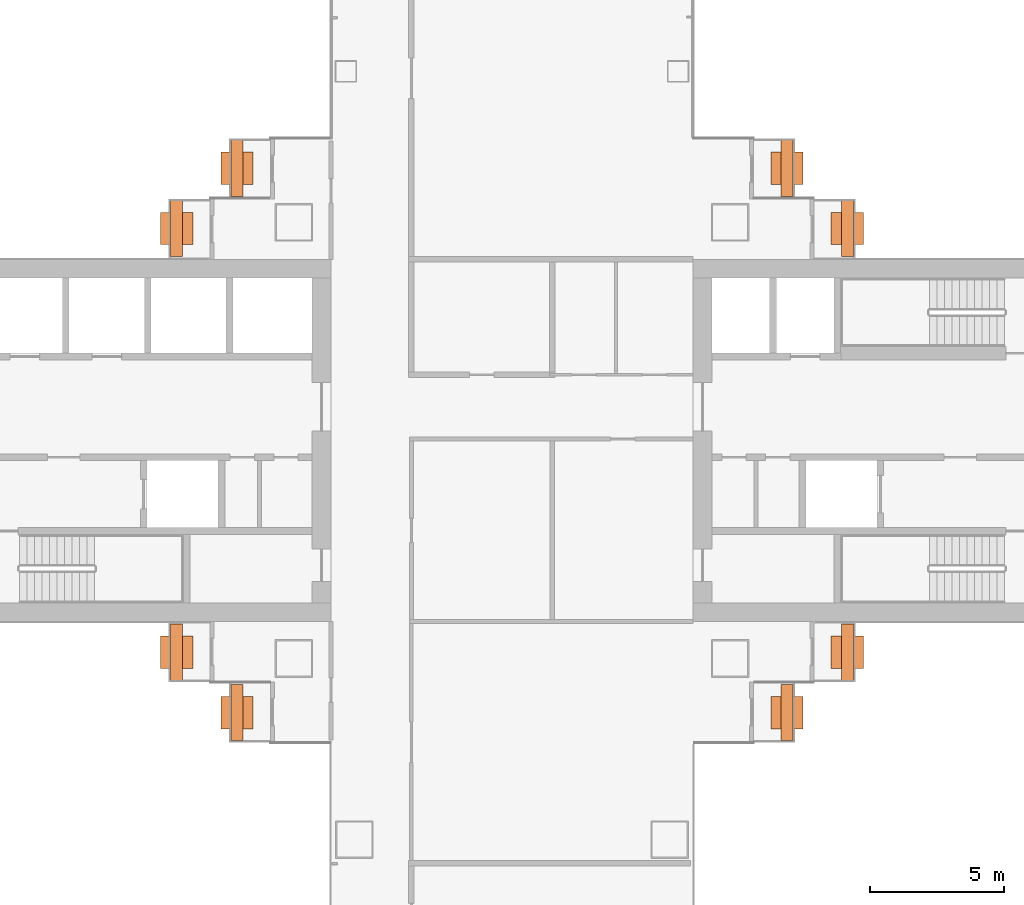
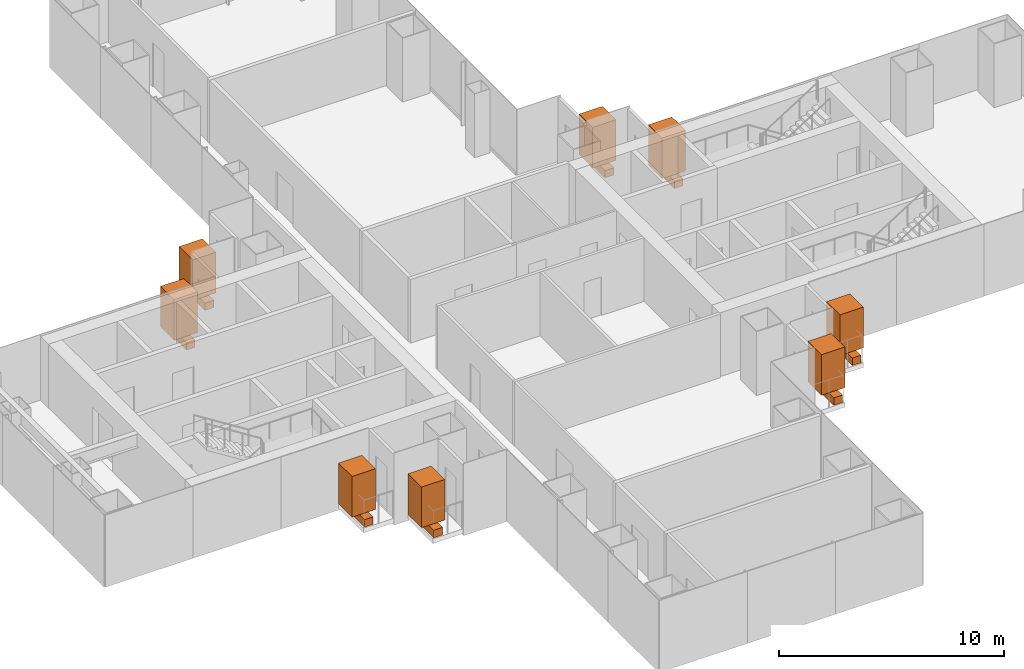
# One storey, part 22 of 22: 8 geographic elements, 8 proxies.
"""IFC4 building model written with IfcOpenShell, lengths in metres."""

from ifc_helpers import new_model, si_unit, direction, frame, origin, origin_2d, place, context, subcontext, project, spatial, rectangle, extrude, material, type_object, element, save


model = new_model("IFC4")

# Units and contexts
model_context = context("Model", 3, precision=1e-05, world=origin(), true_north=direction((0.0, 1.0)))
body_context = subcontext(model_context, "Body", "Model", "MODEL_VIEW")
ifc_project = project(units=[si_unit("LENGTHUNIT", "METRE"), si_unit("AREAUNIT", "SQUARE_METRE"), si_unit("VOLUMEUNIT", "CUBIC_METRE"), si_unit("PLANEANGLEUNIT", "RADIAN"), si_unit("MASSUNIT", "GRAM", prefix="KILO")], contexts=[model_context])

# Site, building, storey
site_placement = place(None, origin())
site = spatial("IfcSite", under=ifc_project, at=site_placement, CompositionType="ELEMENT")
building_placement = place(site_placement, origin())
building = spatial("IfcBuilding", under=site, at=building_placement, Name="Shamsa Quay Exchange Towers", CompositionType="ELEMENT")
storey_placement = place(building_placement, frame((0.0, 0.0, 73.199951171875)))
storey = spatial("IfcBuildingStorey", under=building, at=storey_placement, Name="L16", CompositionType="ELEMENT", Elevation=73.199951171875)

# Proxies
ifc_material_1 = material(Name="Reinforced concrete C30/37, black glass-fibre faced", Category="concrete")
building_element_proxy_type = type_object("IfcBuildingElementProxyType", Name="BALCONY PLANTER", PredefinedType="USERDEFINED", material=ifc_material_1)
for number, where, z_axis, x_axis, name in (
    (1, (23.5048828125, 10.14404296875, 0.0), (0.0, 0.0, 1.0), (0.0, -1.0, 0.0), "PLANTER T2-PKEN L16"),
    (2, (21.2548828125, 7.89404296875, 0.0), (0.0, 0.0, 1.0), (0.0, -1.0, 0.0), "PLANTER T2-PKEN L16"),
    (3, (43.9951171875, 10.14404296875, 0.0), (0.0, 0.0, 1.0), (0.0, 1.0, 0.0), "PLANTER T2-PKES L16"),
    (4, (46.2451171875, 7.89404296875, 0.0), (0.0, 0.0, 1.0), (0.0, 1.0, 0.0), "PLANTER T2-PKES L16"),
    (5, (21.2548828125, -7.89404296875, 0.0), (0.0, 0.0, 1.0), (0.0, -1.0, 0.0), "PLANTER T2-PKWN L16"),
    (6, (23.5048828125, -10.14404296875, 0.0), (0.0, 0.0, 1.0), (0.0, -1.0, 0.0), "PLANTER T2-PKWN L16"),
    (7, (43.9951171875, -10.14404296875, 0.0), (0.0, 0.0, 1.0), (0.0, 1.0, 0.0), "PLANTER T2-PKWS L16"),
    (8, (46.2451171875, -7.89404296875, 0.0), (0.0, 0.0, 1.0), (0.0, 1.0, 0.0), "PLANTER T2-PKWS L16"),
):
    element("IfcBuildingElementProxy", number, at=place(storey_placement, frame(where, z_axis=z_axis, x_axis=x_axis)), inside=storey, type_object=building_element_proxy_type, Name=name, ObjectType="PLANTER", PredefinedType="USERDEFINED", context=body_context, shape_type="SweptSolid", body=[
        extrude(rectangle(XDim=2.092041015625, YDim=0.449951171875, at=origin_2d()), origin(), (0.0, 0.0, 1.0), 0.39990234375),
    ])

# Geographic elements
ifc_material_2 = material(Name="Planting")
geographic_element_type = type_object("IfcGeographicElementType", Name="BALCONY TREE", PredefinedType="USERDEFINED", material=ifc_material_2)
for number, where, z_axis, x_axis, name in (
    (9, (23.5048828125, 10.14404296875, 0.39990234375), (0.0, 0.0, 1.0), (0.0, -1.0, 0.0), "TREE T2-PKEN L16"),
    (10, (21.2548828125, 7.89404296875, 0.39990234375), (0.0, 0.0, 1.0), (0.0, -1.0, 0.0), "TREE T2-PKEN L16"),
    (11, (43.9951171875, 10.14404296875, 0.39990234375), (0.0, 0.0, 1.0), (0.0, 1.0, 0.0), "TREE T2-PKES L16"),
    (12, (46.2451171875, 7.89404296875, 0.39990234375), (0.0, 0.0, 1.0), (0.0, 1.0, 0.0), "TREE T2-PKES L16"),
    (13, (21.2548828125, -7.89404296875, 0.39990234375), (0.0, 0.0, 1.0), (0.0, -1.0, 0.0), "TREE T2-PKWN L16"),
    (14, (23.5048828125, -10.14404296875, 0.39990234375), (0.0, 0.0, 1.0), (0.0, -1.0, 0.0), "TREE T2-PKWN L16"),
    (15, (43.9951171875, -10.14404296875, 0.39990234375), (0.0, 0.0, 1.0), (0.0, 1.0, 0.0), "TREE T2-PKWS L16"),
    (16, (46.2451171875, -7.89404296875, 0.39990234375), (0.0, 0.0, 1.0), (0.0, 1.0, 0.0), "TREE T2-PKWS L16"),
):
    element("IfcGeographicElement", number, at=place(storey_placement, frame(where, z_axis=z_axis, x_axis=x_axis)), inside=storey, type_object=geographic_element_type, Name=name, ObjectType="TREE", PredefinedType="USERDEFINED", context=body_context, shape_type="SweptSolid", body=[
        extrude(rectangle(XDim=1.199951171875, YDim=1.199951171875, at=origin_2d()), origin(), (0.0, 0.0, 1.0), 2.199951171875),
    ])

save(model, "model.ifc")
